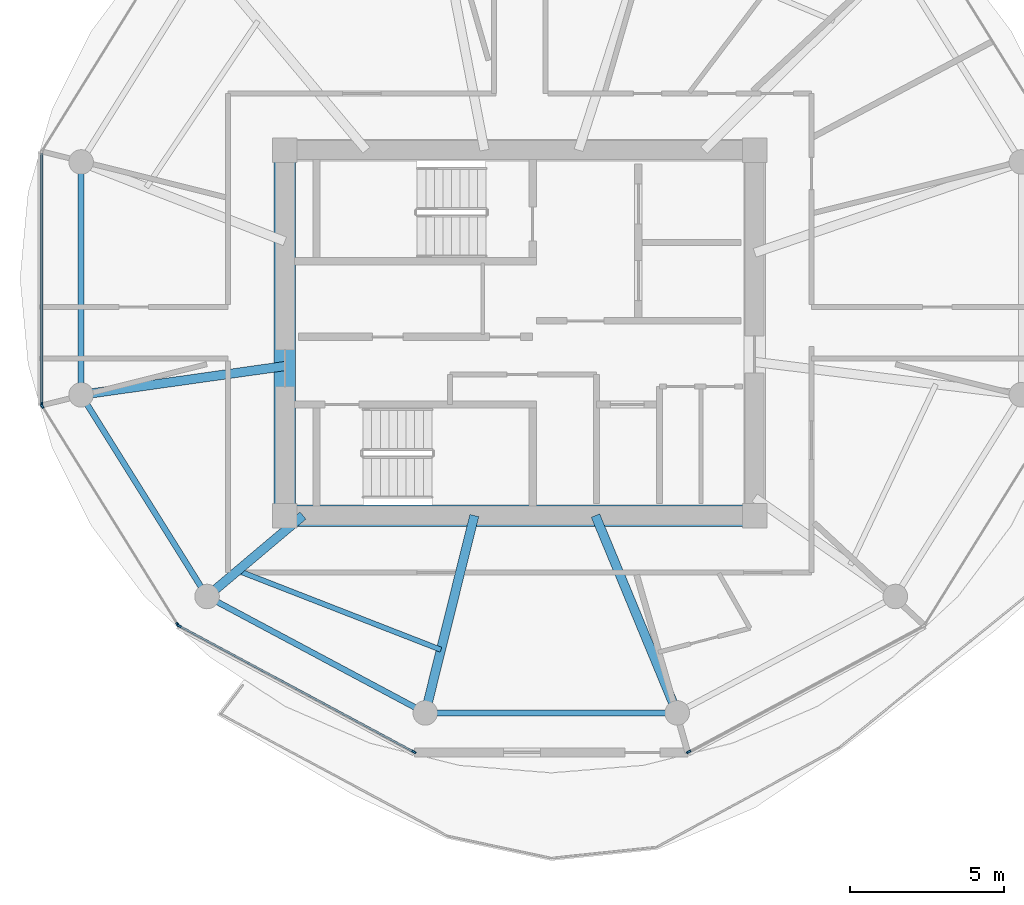
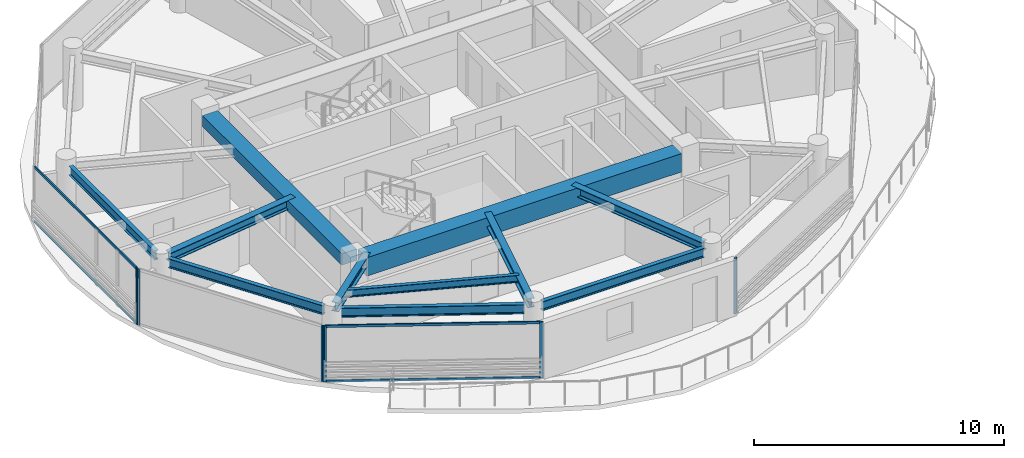
# One storey, part 2 of 22: 11 beams, 10 members, 4 elements without a shape of their own.
"""IFC4 building model written with IfcOpenShell, lengths in metres."""

from ifc_helpers import new_model, si_unit, direction, frame, origin, origin_2d, place, context, subcontext, project, spatial, rectangle, i_section, extrude, source, transform, mapped, material, layer, layer_set, material_profile, profile_set, type_object, type_shapes, element, aggregate, save


model = new_model("IFC4")

# Units and contexts
model_context = context("Model", 3, precision=1e-05, world=origin(), true_north=direction((0.0, 1.0)))
body_context = subcontext(model_context, "Body", "Model", "MODEL_VIEW")
ifc_project = project(units=[si_unit("LENGTHUNIT", "METRE"), si_unit("AREAUNIT", "SQUARE_METRE"), si_unit("VOLUMEUNIT", "CUBIC_METRE"), si_unit("PLANEANGLEUNIT", "RADIAN"), si_unit("MASSUNIT", "GRAM", prefix="KILO")], contexts=[model_context])

# Site, building, storey
site_placement = place(None, origin())
site = spatial("IfcSite", under=ifc_project, at=site_placement, CompositionType="ELEMENT")
building_placement = place(site_placement, origin())
building = spatial("IfcBuilding", under=site, at=building_placement, Name="Norrkilde Senior Care Towers", CompositionType="ELEMENT")
storey_placement = place(building_placement, frame((0.0, 0.0, 183.10009765625)))
storey = spatial("IfcBuildingStorey", under=building, at=storey_placement, Name="L57", CompositionType="ELEMENT", Elevation=183.10009765625)

# Beams
ifc_material_1 = material(Name="Concrete C60/75", Category="concrete")
ifc_material_profile_1 = material_profile(ifc_material_1, rectangle(XDim=0.699951171875, YDim=0.89990234375, at=origin_2d()), Name="RC BM 700x900")
ifc_profile_set_1 = profile_set([ifc_material_profile_1], Name="Concrete C60/75")
beam_type_1 = type_object("IfcBeamType", Name="Core Coupling Girder 700x900", PredefinedType="USERDEFINED", material=ifc_profile_set_1)
shared_shape_1 = source(origin(), body_context, "Body", "SweptSolid", [
    extrude(rectangle(XDim=0.699951171875, YDim=0.89990234375, at=origin_2d()), origin(), (0.0, 0.0, 1.0), 14.5400390625),
])
type_shapes(beam_type_1, [shared_shape_1])
beam_1_placement = place(storey_placement, frame((-35.27001953125, -5.949951171875, 2.27978515625), z_axis=(1.0, 0.0, 0.0), x_axis=(0.0, 1.0, 0.0)))
element("IfcBeam", 1, at=beam_1_placement, inside=storey, type_object=beam_type_1, Name="L57 Core W S Coupling Girder", ObjectType="GIRDER", PredefinedType="USERDEFINED", context=body_context, shape_type="MappedRepresentation", body=[
    mapped(shared_shape_1, transform((0.0, 0.0, 0.0), x_axis=(1.0, 0.0, 0.0), y_axis=(0.0, 1.0, 0.0), z_axis=(0.0, 0.0, 1.0), scale=1.0)),
])
ifc_material_profile_2 = material_profile(ifc_material_1, rectangle(XDim=0.699951171875, YDim=0.550048828125, at=origin_2d()), Name="RC BM 700x550")
ifc_profile_set_2 = profile_set([ifc_material_profile_2], Name="Concrete C60/75")
beam_type_2 = type_object("IfcBeamType", Name="Core Portal Coupling Beam 700x550", PredefinedType="USERDEFINED", material=ifc_profile_set_2)
shared_shape_2 = source(origin(), body_context, "Body", "SweptSolid", [
    extrude(rectangle(XDim=0.699951171875, YDim=0.550048828125, at=origin_2d()), origin(), (0.0, 0.0, 1.0), 11.14013671875),
])
type_shapes(beam_type_2, [shared_shape_2])
beam_2_placement = place(storey_placement, frame((-35.64990234375, -5.570068359375, 2.454833984375), z_axis=(0.0, 1.0, 0.0), x_axis=(-1.0, 0.0, 0.0)))
element("IfcBeam", 2, at=beam_2_placement, inside=storey, type_object=beam_type_2, Name="L57 Core W W Coupling Girder", ObjectType="GIRDER", PredefinedType="USERDEFINED", context=body_context, shape_type="MappedRepresentation", body=[
    mapped(shared_shape_2, transform((0.0, 0.0, 0.0), x_axis=(1.0, 0.0, 0.0), y_axis=(0.0, 1.0, 0.0), z_axis=(0.0, 0.0, 1.0), scale=1.0)),
])
ifc_material_2 = material(Name="Steel S355", Category="steel")
ifc_material_profile_3 = material_profile(ifc_material_2, i_section(OverallWidth=0.18994140625, OverallDepth=0.449951171875, WebThickness=0.009521484375, FlangeThickness=0.0146484375, FilletRadius=0.02099609375, at=origin_2d()), Name="IPE 450")
ifc_profile_set_3 = profile_set([ifc_material_profile_3], Name="Steel S355")
beam_type_3 = type_object("IfcBeamType", Name="Perimeter Ring Spandrel Z3 IPE450", PredefinedType="SPANDREL", material=ifc_profile_set_3)
shared_shape_3 = source(origin(), body_context, "Body", "SweptSolid", [
    extrude(i_section(OverallWidth=0.18994140625, OverallDepth=0.449951171875, WebThickness=0.009521484375, FlangeThickness=0.0146484375, FilletRadius=0.02099609375, at=origin_2d()), origin(), (0.0, 0.0, 1.0), 7.484619140625),
])
beam_3_placement = place(storey_placement, frame((-30.71728515625, -12.37548828125, 2.5048828125), z_axis=(1.0, 0.0, 0.0), x_axis=(0.0, 1.0, 0.0)))
element("IfcBeam", 3, at=beam_3_placement, inside=storey, type_object=beam_type_3, Name="L57 Drum W Perimeter Spandrel 09", PredefinedType="SPANDREL", context=body_context, shape_type="MappedRepresentation", body=[
    mapped(shared_shape_3, transform((0.0, 0.0, 0.0), x_axis=(1.0, 0.0, 0.0), y_axis=(0.0, 1.0, 0.0), z_axis=(0.0, 0.0, 1.0), scale=1.0)),
])
shared_shape_4 = source(origin(), body_context, "Body", "SweptSolid", [
    extrude(i_section(OverallWidth=0.18994140625, OverallDepth=0.449951171875, WebThickness=0.009521484375, FlangeThickness=0.0146484375, FilletRadius=0.02099609375, at=origin_2d()), origin(), (0.0, 0.0, 1.0), 6.86328125),
])
beam_4_placement = place(storey_placement, frame((-42.284912109375, 5.20703125, 2.5048828125), z_axis=(0.0, -1.0, 0.0), x_axis=(1.0, 0.0, 0.0)))
element("IfcBeam", 4, at=beam_4_placement, inside=storey, type_object=beam_type_3, Name="L57 Drum W Perimeter Spandrel 06", PredefinedType="SPANDREL", context=body_context, shape_type="MappedRepresentation", body=[
    mapped(shared_shape_4, transform((0.0, 0.0, 0.0), x_axis=(1.0, 0.0, 0.0), y_axis=(0.0, 1.0, 0.0), z_axis=(0.0, 0.0, 1.0), scale=1.0)),
])
shared_shape_5 = source(origin(), body_context, "Body", "SweptSolid", [
    extrude(i_section(OverallWidth=0.18994140625, OverallDepth=0.449951171875, WebThickness=0.009521484375, FlangeThickness=0.0146484375, FilletRadius=0.02099609375, at=origin_2d()), origin(), (0.0, 0.0, 1.0), 7.023193359375),
])
beam_5_placement = place(storey_placement, frame((-42.09423828125, -2.32177734375, 2.5048828125), z_axis=(0.529805197269, -0.848119362441, 0.0), x_axis=(0.848119362441, 0.529805197269, 0.0)))
element("IfcBeam", 5, at=beam_5_placement, inside=storey, type_object=beam_type_3, Name="L57 Drum W Perimeter Spandrel 07", PredefinedType="SPANDREL", context=body_context, shape_type="MappedRepresentation", body=[
    mapped(shared_shape_5, transform((0.0, 0.0, 0.0), x_axis=(1.0, 0.0, 0.0), y_axis=(0.0, 1.0, 0.0), z_axis=(0.0, 0.0, 1.0), scale=1.0)),
])
ifc_material_profile_4 = material_profile(ifc_material_2, i_section(OverallWidth=0.300048828125, OverallDepth=0.449951171875, WebThickness=0.013916015625, FlangeThickness=0.02587890625, FilletRadius=0.027099609375, at=origin_2d()), Name="HEB 450")
ifc_profile_set_4 = profile_set([ifc_material_profile_4], Name="Steel S355")
beam_type_4 = type_object("IfcBeamType", Name="Radial Floor Beam Z3 HEB450", PredefinedType="BEAM", material=ifc_profile_set_4)
shared_shape_6 = source(origin(), body_context, "Body", "SweptSolid", [
    extrude(i_section(OverallWidth=0.300048828125, OverallDepth=0.449951171875, WebThickness=0.013916015625, FlangeThickness=0.02587890625, FilletRadius=0.027099609375, at=origin_2d()), origin(), (0.0, 0.0, 1.0), 6.3408203125),
])
beam_6_placement = place(storey_placement, frame((-35.64990234375, -1.079833984375, 2.5048828125), z_axis=(-0.990184519576, -0.139766294905, 0.0), x_axis=(0.139766294905, -0.990184519576, 0.0)))
element("IfcBeam", 6, at=beam_6_placement, inside=storey, type_object=beam_type_4, Name="L57 Drum W Radial Floor Beam 07", PredefinedType="BEAM", context=body_context, shape_type="MappedRepresentation", body=[
    mapped(shared_shape_6, transform((0.0, 0.0, 0.0), x_axis=(1.0, 0.0, 0.0), y_axis=(0.0, 1.0, 0.0), z_axis=(0.0, 0.0, 1.0), scale=1.0)),
])
shared_shape_7 = source(origin(), body_context, "Body", "SweptSolid", [
    extrude(i_section(OverallWidth=0.18994140625, OverallDepth=0.449951171875, WebThickness=0.009521484375, FlangeThickness=0.0146484375, FilletRadius=0.02099609375, at=origin_2d()), origin(), (0.0, 0.0, 1.0), 7.333984375),
])
type_shapes(beam_type_3, [shared_shape_3, shared_shape_4, shared_shape_5, shared_shape_7])
beam_7_placement = place(storey_placement, frame((-37.864990234375, -8.753173828125, 2.5048828125), z_axis=(0.882234038987, -0.470811109101, 0.0), x_axis=(0.470811109101, 0.882234038987, 0.0)))
element("IfcBeam", 7, at=beam_7_placement, inside=storey, type_object=beam_type_3, Name="L57 Drum W Perimeter Spandrel 08", PredefinedType="SPANDREL", context=body_context, shape_type="MappedRepresentation", body=[
    mapped(shared_shape_7, transform((0.0, 0.0, 0.0), x_axis=(1.0, 0.0, 0.0), y_axis=(0.0, 1.0, 0.0), z_axis=(0.0, 0.0, 1.0), scale=1.0)),
])
shared_shape_8 = source(origin(), body_context, "Body", "SweptSolid", [
    extrude(i_section(OverallWidth=0.300048828125, OverallDepth=0.449951171875, WebThickness=0.013916015625, FlangeThickness=0.02587890625, FilletRadius=0.027099609375, at=origin_2d()), origin(), (0.0, 0.0, 1.0), 3.7265625),
])
beam_8_placement = place(storey_placement, frame((-35.058349609375, -5.949951171875, 2.5048828125), z_axis=(-0.764567902106, -0.644543189453, 0.0), x_axis=(0.644543189453, -0.764567902106, 0.0)))
element("IfcBeam", 8, at=beam_8_placement, inside=storey, type_object=beam_type_4, Name="L57 Drum W Radial Floor Beam 08", PredefinedType="BEAM", context=body_context, shape_type="MappedRepresentation", body=[
    mapped(shared_shape_8, transform((0.0, 0.0, 0.0), x_axis=(1.0, 0.0, 0.0), y_axis=(0.0, 1.0, 0.0), z_axis=(0.0, 0.0, 1.0), scale=1.0)),
])
shared_shape_9 = source(origin(), body_context, "Body", "SweptSolid", [
    extrude(i_section(OverallWidth=0.300048828125, OverallDepth=0.449951171875, WebThickness=0.013916015625, FlangeThickness=0.02587890625, FilletRadius=0.027099609375, at=origin_2d()), origin(), (0.0, 0.0, 1.0), 6.26123046875),
])
beam_9_placement = place(storey_placement, frame((-29.4794921875, -5.949951171875, 2.5048828125), z_axis=(-0.241324375921, -0.970444509277, 0.0), x_axis=(0.970444509277, -0.241324375921, 0.0)))
element("IfcBeam", 9, at=beam_9_placement, inside=storey, type_object=beam_type_4, Name="L57 Drum W Radial Floor Beam 09", PredefinedType="BEAM", context=body_context, shape_type="MappedRepresentation", body=[
    mapped(shared_shape_9, transform((0.0, 0.0, 0.0), x_axis=(1.0, 0.0, 0.0), y_axis=(0.0, 1.0, 0.0), z_axis=(0.0, 0.0, 1.0), scale=1.0)),
])
shared_shape_10 = source(origin(), body_context, "Body", "SweptSolid", [
    extrude(i_section(OverallWidth=0.300048828125, OverallDepth=0.449951171875, WebThickness=0.013916015625, FlangeThickness=0.02587890625, FilletRadius=0.027099609375, at=origin_2d()), origin(), (0.0, 0.0, 1.0), 6.59521484375),
])
type_shapes(beam_type_4, [shared_shape_6, shared_shape_8, shared_shape_9, shared_shape_10])
beam_10_placement = place(storey_placement, frame((-25.534912109375, -5.949951171875, 2.5048828125), z_axis=(0.382761541363, -0.923847174836, 0.0), x_axis=(0.923847174836, 0.382761541363, 0.0)))
element("IfcBeam", 10, at=beam_10_placement, inside=storey, type_object=beam_type_4, Name="L57 Drum W Radial Floor Beam 10", PredefinedType="BEAM", context=body_context, shape_type="MappedRepresentation", body=[
    mapped(shared_shape_10, transform((0.0, 0.0, 0.0), x_axis=(1.0, 0.0, 0.0), y_axis=(0.0, 1.0, 0.0), z_axis=(0.0, 0.0, 1.0), scale=1.0)),
])
ifc_material_profile_5 = material_profile(ifc_material_2, i_section(OverallWidth=0.169921875, OverallDepth=0.360107421875, WebThickness=0.008056640625, FlangeThickness=0.0126953125, FilletRadius=0.01806640625, at=origin_2d()), Name="IPE 360")
ifc_profile_set_5 = profile_set([ifc_material_profile_5], Name="Steel S355")
beam_type_5 = type_object("IfcBeamType", Name="Secondary Floor Joist IPE360", PredefinedType="JOIST", material=ifc_profile_set_5)
shared_shape_11 = source(origin(), body_context, "Body", "SweptSolid", [
    extrude(i_section(OverallWidth=0.169921875, OverallDepth=0.360107421875, WebThickness=0.008056640625, FlangeThickness=0.0126953125, FilletRadius=0.01806640625, at=origin_2d()), origin(), (0.0, 0.0, 1.0), 7.1015625),
])
type_shapes(beam_type_5, [shared_shape_11])
beam_11_placement = place(storey_placement, frame((-37.182861328125, -7.740966796875, 2.5498046875), z_axis=(0.931761231292, -0.363071629106, 0.0), x_axis=(0.363071629106, 0.931761231292, 0.0)))
element("IfcBeam", 11, at=beam_11_placement, inside=storey, type_object=beam_type_5, Name="L57 Drum W Secondary Floor Joist 3", PredefinedType="JOIST", context=body_context, shape_type="MappedRepresentation", body=[
    mapped(shared_shape_11, transform((0.0, 0.0, 0.0), x_axis=(1.0, 0.0, 0.0), y_axis=(0.0, 1.0, 0.0), z_axis=(0.0, 0.0, 1.0), scale=1.0)),
])

# Curtain wall, members
ifc_material_3 = material(Name="Triple Low-E Insulated Glazing", Category="glass")
ifc_layer = layer(ifc_material_3, 0.18994140625)
ifc_layer_set = layer_set([ifc_layer], Name="Triple Low-E Insulated Glazing")
curtain_wall_type = type_object("IfcCurtainWallType", Name="CW4 Zone 3 Senior Residence Curtain Wall", PredefinedType="NOTDEFINED", material=ifc_layer_set)
curtain_wall_1_placement = place(storey_placement, origin())
curtain_wall_1 = element("IfcCurtainWall", 12, at=curtain_wall_1_placement, inside=storey, type_object=curtain_wall_type, Name="L57 Drum W Curtain Wall 07", PredefinedType="NOTDEFINED")
ifc_material_4 = material(Name="Anodised Aluminium", Category="aluminium")
ifc_material_profile_6 = material_profile(ifc_material_4, rectangle(XDim=0.06005859375, YDim=0.1201171875, at=origin_2d()), Name="ALU TRAN 60x120")
ifc_profile_set_6 = profile_set([ifc_material_profile_6], Name="Anodised Aluminium")
member_type_1 = type_object("IfcMemberType", Name="Curtain Wall Transom Typical 60x120", PredefinedType="USERDEFINED", material=ifc_profile_set_6)
shared_shape_12 = source(origin(), body_context, "Body", "SweptSolid", [
    extrude(rectangle(XDim=0.06005859375, YDim=0.1201171875, at=origin_2d()), origin(), (0.0, 0.0, 1.0), 8.612060546875),
])
member_1_placement = place(storey_placement, frame((-31.478759765625, -13.62939453125, 0.02978515625), z_axis=(-0.881000337462, 0.473115636384, 0.0), x_axis=(-0.473115636384, -0.881000337462, 0.0)))
member_1 = element("IfcMember", 13, at=member_1_placement, type_object=member_type_1, Name="CW-4 transom 1.1", ObjectType="TRANSOM", PredefinedType="USERDEFINED", context=body_context, shape_type="MappedRepresentation", body=[
    mapped(shared_shape_12, transform((0.0, 0.0, 0.0), x_axis=(1.0, 0.0, 0.0), y_axis=(0.0, 1.0, 0.0), z_axis=(0.0, 0.0, 1.0), scale=1.0)),
])
member_2_placement = place(storey_placement, frame((-31.478759765625, -13.62939453125, 2.699951171875), z_axis=(-0.881000337462, 0.473115636384, 0.0), x_axis=(-0.473115636384, -0.881000337462, 0.0)))
member_2 = element("IfcMember", 14, at=member_2_placement, type_object=member_type_1, Name="CW-4 transom 1.2", ObjectType="TRANSOM", PredefinedType="USERDEFINED", context=body_context, shape_type="MappedRepresentation", body=[
    mapped(shared_shape_12, transform((0.0, 0.0, 0.0), x_axis=(1.0, 0.0, 0.0), y_axis=(0.0, 1.0, 0.0), z_axis=(0.0, 0.0, 1.0), scale=1.0)),
])

curtain_wall_2_placement = place(storey_placement, origin())
curtain_wall_2 = element("IfcCurtainWall", 15, at=curtain_wall_2_placement, inside=storey, type_object=curtain_wall_type, Name="L57 Drum W Curtain Wall 05", PredefinedType="NOTDEFINED")
shared_shape_13 = source(origin(), body_context, "Body", "SweptSolid", [
    extrude(rectangle(XDim=0.06005859375, YDim=0.1201171875, at=origin_2d()), origin(), (0.0, 0.0, 1.0), 8.141845703125),
])
type_shapes(member_type_1, [shared_shape_12, shared_shape_13])
member_3_placement = place(storey_placement, frame((-43.569580078125, -2.295654296875, 0.02978515625), z_axis=(0.0, 1.0, 0.0), x_axis=(-1.0, 0.0, 0.0)))
member_3 = element("IfcMember", 16, at=member_3_placement, type_object=member_type_1, Name="CW-4 transom 1.1", ObjectType="TRANSOM", PredefinedType="USERDEFINED", context=body_context, shape_type="MappedRepresentation", body=[
    mapped(shared_shape_13, transform((0.0, 0.0, 0.0), x_axis=(1.0, 0.0, 0.0), y_axis=(0.0, 1.0, 0.0), z_axis=(0.0, 0.0, 1.0), scale=1.0)),
])
member_4_placement = place(storey_placement, frame((-43.569580078125, -2.295654296875, 2.699951171875), z_axis=(0.0, 1.0, 0.0), x_axis=(-1.0, 0.0, 0.0)))
member_4 = element("IfcMember", 17, at=member_4_placement, type_object=member_type_1, Name="CW-4 transom 1.2", ObjectType="TRANSOM", PredefinedType="USERDEFINED", context=body_context, shape_type="MappedRepresentation", body=[
    mapped(shared_shape_13, transform((0.0, 0.0, 0.0), x_axis=(1.0, 0.0, 0.0), y_axis=(0.0, 1.0, 0.0), z_axis=(0.0, 0.0, 1.0), scale=1.0)),
])
ifc_material_profile_7 = material_profile(ifc_material_4, rectangle(XDim=0.06494140625, YDim=0.14990234375, at=origin_2d()), Name="ALU MULL 65x150")
ifc_profile_set_7 = profile_set([ifc_material_profile_7], Name="Anodised Aluminium")
member_type_2 = type_object("IfcMemberType", Name="Curtain Wall Mullion Z3-Z4 65x150", PredefinedType="MULLION", material=ifc_profile_set_7)
shared_shape_14 = source(origin(), body_context, "Body", "SweptSolid", [
    extrude(rectangle(XDim=0.06494140625, YDim=0.14990234375, at=origin_2d()), origin(), (0.0, 0.0, 1.0), 2.72998046875),
])
type_shapes(member_type_2, [shared_shape_14])
member_5_placement = place(storey_placement, frame((-43.569580078125, -2.328125, 0.0), z_axis=(0.0, 0.0, 1.0), x_axis=(-1.0, 0.0, 0.0)))
member_5 = element("IfcMember", 18, at=member_5_placement, type_object=member_type_2, Name="CW-4 mullion 1", PredefinedType="MULLION", context=body_context, shape_type="MappedRepresentation", body=[
    mapped(shared_shape_14, transform((0.0, 0.0, 0.0), x_axis=(1.0, 0.0, 0.0), y_axis=(0.0, 1.0, 0.0), z_axis=(0.0, 0.0, 1.0), scale=1.0)),
])
aggregate(curtain_wall_2, [member_5, member_3, member_4])

curtain_wall_3_placement = place(storey_placement, origin())
curtain_wall_3 = element("IfcCurtainWall", 19, at=curtain_wall_3_placement, inside=storey, type_object=curtain_wall_type, Name="L57 Drum W Curtain Wall 06", PredefinedType="NOTDEFINED")
member_6_placement = place(storey_placement, frame((-39.14013671875, -9.49658203125, 0.0), z_axis=(0.0, 0.0, 1.0), x_axis=(-0.84963405474, -0.52737270789, 0.0)))
member_6 = element("IfcMember", 20, at=member_6_placement, type_object=member_type_2, Name="CW-4 mullion 1", PredefinedType="MULLION", context=body_context, shape_type="MappedRepresentation", body=[
    mapped(shared_shape_14, transform((0.0, 0.0, 0.0), x_axis=(1.0, 0.0, 0.0), y_axis=(0.0, 1.0, 0.0), z_axis=(0.0, 0.0, 1.0), scale=1.0)),
])
member_7_placement = place(storey_placement, frame((-43.552490234375, -2.38818359375, 0.0), z_axis=(0.0, 0.0, 1.0), x_axis=(-0.84963405474, -0.52737270789, 0.0)))
member_7 = element("IfcMember", 21, at=member_7_placement, type_object=member_type_2, Name="CW-4 mullion 2", PredefinedType="MULLION", context=body_context, shape_type="MappedRepresentation", body=[
    mapped(shared_shape_14, transform((0.0, 0.0, 0.0), x_axis=(1.0, 0.0, 0.0), y_axis=(0.0, 1.0, 0.0), z_axis=(0.0, 0.0, 1.0), scale=1.0)),
])
aggregate(curtain_wall_3, [member_6, member_7])

# Member
member_8_placement = place(storey_placement, frame((-31.4501953125, -13.644775390625, 0.0), z_axis=(0.0, 0.0, 1.0), x_axis=(-0.47311715104, -0.880999524059, 0.0)))
member_8 = element("IfcMember", 22, at=member_8_placement, type_object=member_type_2, Name="CW-4 mullion 1", PredefinedType="MULLION", context=body_context, shape_type="MappedRepresentation", body=[
    mapped(shared_shape_14, transform((0.0, 0.0, 0.0), x_axis=(1.0, 0.0, 0.0), y_axis=(0.0, 1.0, 0.0), z_axis=(0.0, 0.0, 1.0), scale=1.0)),
])

member_9_placement = place(storey_placement, frame((-39.094482421875, -9.53955078125, 0.0), z_axis=(0.0, 0.0, 1.0), x_axis=(-0.47311715104, -0.880999524059, 0.0)))
member_9 = element("IfcMember", 23, at=member_9_placement, type_object=member_type_2, Name="CW-4 mullion 2", PredefinedType="MULLION", context=body_context, shape_type="MappedRepresentation", body=[
    mapped(shared_shape_14, transform((0.0, 0.0, 0.0), x_axis=(1.0, 0.0, 0.0), y_axis=(0.0, 1.0, 0.0), z_axis=(0.0, 0.0, 1.0), scale=1.0)),
])

aggregate(curtain_wall_1, [member_8, member_9, member_1, member_2])

# Curtain wall, member
curtain_wall_4_placement = place(storey_placement, origin())
curtain_wall_4 = element("IfcCurtainWall", 24, at=curtain_wall_4_placement, inside=storey, type_object=curtain_wall_type, Name="L57 Drum W Curtain Wall 09", PredefinedType="NOTDEFINED")
member_10_placement = place(storey_placement, frame((-22.499755859375, -13.644775390625, 0.0), z_axis=(0.0, 0.0, 1.0), x_axis=(0.47311715104, -0.880999524059, 0.0)))
member_10 = element("IfcMember", 25, at=member_10_placement, type_object=member_type_2, Name="CW-4 mullion 2", PredefinedType="MULLION", context=body_context, shape_type="MappedRepresentation", body=[
    mapped(shared_shape_14, transform((0.0, 0.0, 0.0), x_axis=(1.0, 0.0, 0.0), y_axis=(0.0, 1.0, 0.0), z_axis=(0.0, 0.0, 1.0), scale=1.0)),
])
aggregate(curtain_wall_4, [member_10])

save(model, "model.ifc")
